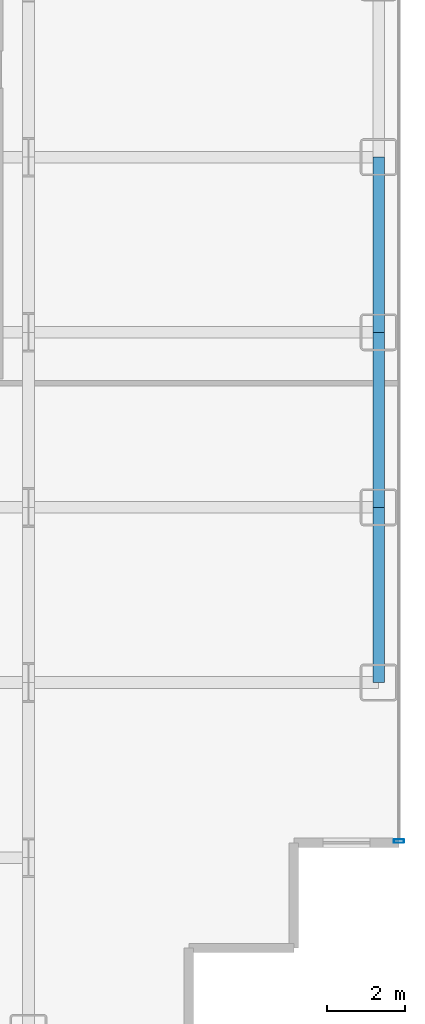
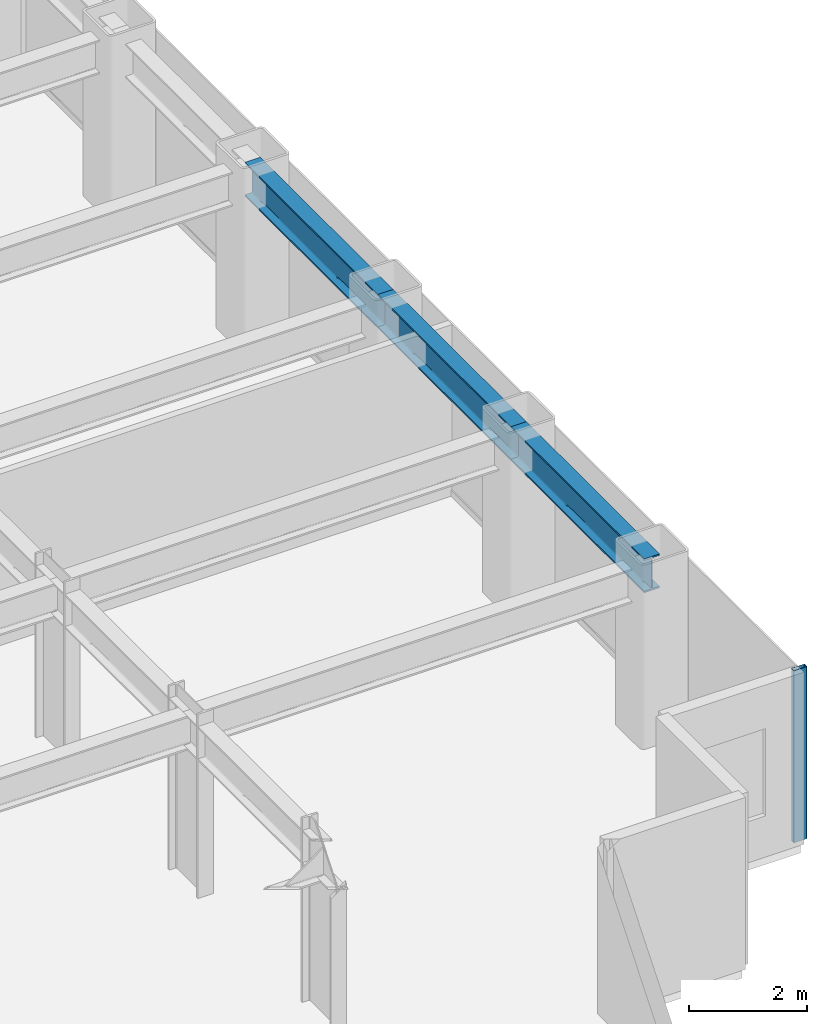
# One storey, part 16 of 25: 3 beams, 1 member, 1 element without a shape of its own.
"""IFC4 building model written with IfcOpenShell, lengths in metres."""

import ifcopenshell
import ifcopenshell.guid

model = None  # the IFC model being written
_history = None  # IfcOwnerHistory: only IFC2X3 demands one
_inside = {}  # id of a spatial element -> (the spatial element, [elements in it])
_under = {}  # id of a project, library or spatial element -> (it, [spatial elements below it])
_declared = {}  # id of a project -> (the project, [libraries it declares])
_typed = {}  # id of a type object -> (the type object, [elements of that type])
_made_of = {}  # id of a material, layer set ... -> (it, [elements and type objects made of it])


def new_model(schema):
    """Start an empty IFC model of exactly this schema.

    Asked for "IFC4X3", IfcOpenShell would pick the latest addendum, in which some entities
    have other attributes; the version numbers below select the first issue.
    IFC2X3 requires an IfcOwnerHistory on every rooted entity: one is made here for all.
    """
    global model, _history
    if schema == "IFC4X3":
        model = ifcopenshell.file(schema_version=(4, 3, 0, 0))
    else:
        model = ifcopenshell.file(schema=schema)
    _inside.clear()
    _under.clear()
    _declared.clear()
    _typed.clear()
    _made_of.clear()
    _history = None
    if model.schema == "IFC2X3":
        org = make("IfcOrganization", Name="unknown")
        user = make(
            "IfcPersonAndOrganization",
            ThePerson=make("IfcPerson", FamilyName="unknown"),
            TheOrganization=org,
        )
        app = make(
            "IfcApplication",
            ApplicationDeveloper=org,
            Version="unknown",
            ApplicationFullName="unknown",
            ApplicationIdentifier="unknown",
        )
        _history = make(
            "IfcOwnerHistory",
            OwningUser=user,
            OwningApplication=app,
            ChangeAction="ADDED",
            CreationDate=0,
        )
    return model


def make(cls, **values):
    """One entity of the class cls with the attributes given. An attribute that is None is left unset."""
    return model.create_entity(
        cls, **{name: value for name, value in values.items() if value is not None}
    )


def rooted(cls, **values):
    """An entity with a GlobalId (a new one), such as an element, a storey or a relation."""
    return make(cls, GlobalId=ifcopenshell.guid.new(), OwnerHistory=_history, **values)


def si_unit(unit_type, name, prefix=None):
    """IfcSIUnit, for example si_unit("LENGTHUNIT", "METRE", prefix="MILLI")."""
    return make("IfcSIUnit", UnitType=unit_type, Prefix=prefix, Name=name)


def assignment(units):
    """IfcUnitAssignment: the units of a project."""
    return None if units is None else make("IfcUnitAssignment", Units=units)


def point(xyz):
    """IfcCartesianPoint."""
    return None if xyz is None else make("IfcCartesianPoint", Coordinates=xyz)


def direction(xyz):
    """IfcDirection."""
    return None if xyz is None else make("IfcDirection", DirectionRatios=xyz)


def frame(location, z_axis=None, x_axis=None):
    """IfcAxis2Placement3D, a coordinate frame: its origin and axes. An axis left out is left unset."""
    return make(
        "IfcAxis2Placement3D",
        Location=point(location),
        Axis=direction(z_axis),
        RefDirection=direction(x_axis),
    )


def frame_2d(location, x_axis=None):
    """IfcAxis2Placement2D, a coordinate frame in the plane: its origin and x axis."""
    return make(
        "IfcAxis2Placement2D", Location=point(location), RefDirection=direction(x_axis)
    )


def origin():
    """The frame at (0, 0, 0) with its axes left unset."""
    return frame((0.0, 0.0, 0.0))


def origin_2d():
    """The frame at (0, 0) in the plane with its x axis left unset."""
    return frame_2d((0.0, 0.0))


def place(relative_to, where):
    """IfcLocalPlacement: puts the frame where relative to a parent placement (None: the world)."""
    return make(
        "IfcLocalPlacement", PlacementRelTo=relative_to, RelativePlacement=where
    )


def context(
    kind, dimensions, precision=None, world=None, true_north=None, identifier=None
):
    """IfcGeometricRepresentationContext, for example the 3D "Model" context."""
    return make(
        "IfcGeometricRepresentationContext",
        ContextIdentifier=identifier,
        ContextType=kind,
        CoordinateSpaceDimension=dimensions,
        Precision=precision,
        WorldCoordinateSystem=world,
        TrueNorth=true_north,
    )


def subcontext(parent, identifier, kind, view, scale=None):
    """IfcGeometricRepresentationSubContext, for example "Body" below "Model"."""
    return make(
        "IfcGeometricRepresentationSubContext",
        ContextIdentifier=identifier,
        ContextType=kind,
        ParentContext=parent,
        TargetScale=scale,
        TargetView=view,
    )


def project(units=None, contexts=None):
    """IfcProject with its units and contexts."""
    return rooted(
        "IfcProject",
        Name="project",
        RepresentationContexts=contexts,
        UnitsInContext=assignment(units),
    )


def spatial(cls, under=None, at=None, **own):
    """A site, building, storey or space (cls), placed at a placement, below another one or the project."""
    s = rooted(cls, ObjectPlacement=at, **own)
    if under is not None:
        _under.setdefault(under.id(), (under, []))[1].append(s)
    return s


def profile(cls, at=None, kind="AREA", **sizes):
    """A parametric profile (cls). Its sizes go by their IFC names, for example OverallWidth=200.0."""
    return make(cls, ProfileType=kind, Position=at, **sizes)


def hollow_rectangle(**sizes):
    """IfcRectangleHollowProfileDef."""
    return profile("IfcRectangleHollowProfileDef", **sizes)


def i_section(**sizes):
    """IfcIShapeProfileDef."""
    return profile("IfcIShapeProfileDef", **sizes)


def extrude(swept, where, along, depth):
    """IfcExtrudedAreaSolid: the profile swept, set in the frame where, extruded along a direction by depth."""
    return make(
        "IfcExtrudedAreaSolid",
        SweptArea=swept,
        Position=where,
        ExtrudedDirection=direction(along),
        Depth=depth,
    )


def shape(context_of_items, identifier, shape_type, items):
    """IfcShapeRepresentation: the items that make up one representation, for example the "Body"."""
    return make(
        "IfcShapeRepresentation",
        ContextOfItems=context_of_items,
        RepresentationIdentifier=identifier,
        RepresentationType=shape_type,
        Items=items,
    )


def source(mapping_origin, context_of_items, identifier, shape_type, items):
    """IfcRepresentationMap: a shape defined once, which mapped items show again and again."""
    return make(
        "IfcRepresentationMap",
        MappingOrigin=mapping_origin,
        MappedRepresentation=shape(context_of_items, identifier, shape_type, items),
    )


def transform(
    local_origin,
    x_axis=None,
    y_axis=None,
    z_axis=None,
    scale=None,
    scale2=None,
    scale3=None,
    uniform=True,
):
    """IfcCartesianTransformationOperator3D, or its non-uniform kind. x_axis, y_axis, z_axis: its Axis1, 2, 3."""
    if uniform:
        return make(
            "IfcCartesianTransformationOperator3D",
            Axis1=direction(x_axis),
            Axis2=direction(y_axis),
            LocalOrigin=point(local_origin),
            Scale=scale,
            Axis3=direction(z_axis),
        )
    return make(
        "IfcCartesianTransformationOperator3DnonUniform",
        Axis1=direction(x_axis),
        Axis2=direction(y_axis),
        LocalOrigin=point(local_origin),
        Scale=scale,
        Axis3=direction(z_axis),
        Scale2=scale2,
        Scale3=scale3,
    )


def mapped(mapping_source, mapping_target):
    """IfcMappedItem: shows the shape of a source again, moved by a transform."""
    return make(
        "IfcMappedItem", MappingSource=mapping_source, MappingTarget=mapping_target
    )


def material(Name=None, Category=None):
    """IfcMaterial."""
    return make("IfcMaterial", Name=Name, Category=Category)


def layer(
    of_material, thickness, ventilated=None, Name=None, Category=None, Priority=None
):
    """IfcMaterialLayer: one layer of a wall or slab, of a material (None: an air gap)."""
    return make(
        "IfcMaterialLayer",
        Material=of_material,
        LayerThickness=thickness,
        IsVentilated=ventilated,
        Name=Name,
        Category=Category,
        Priority=Priority,
    )


def layer_set(layers, Name=None):
    """IfcMaterialLayerSet."""
    return make("IfcMaterialLayerSet", MaterialLayers=layers, LayerSetName=Name)


def material_profile(
    of_material, cross_section, Name=None, Category=None, Priority=None
):
    """IfcMaterialProfile: a cross section and its material."""
    return make(
        "IfcMaterialProfile",
        Name=Name,
        Material=of_material,
        Profile=cross_section,
        Priority=Priority,
        Category=Category,
    )


def profile_set(profiles, Name=None, composite=None):
    """IfcMaterialProfileSet."""
    return make(
        "IfcMaterialProfileSet",
        Name=Name,
        MaterialProfiles=profiles,
        CompositeProfile=composite,
    )


def made_of(thing, what):
    """Note that an element or type object is made of a material, layer set ...; save() writes the relation."""
    if what is not None:
        _made_of.setdefault(what.id(), (what, []))[1].append(thing)
    return thing


def type_object(cls, material=None, **own):
    """A type object (cls), such as IfcWallType, which elements share."""
    return made_of(rooted(cls, **own), material)


def element(
    cls,
    number,
    at=None,
    inside=None,
    cuts=None,
    type_object=None,
    material=None,
    context=None,
    identifier="Body",
    shape_type=None,
    held_by="IfcProductDefinitionShape",
    body=None,
    shapes=None,
    **own,
):
    """One element of the class cls, such as IfcWall. Its Tag is "e" and its number.

    at: its placement. inside: the storey or other place that contains it. cuts: it is an
    opening in that element (IfcRelVoidsElement). A single representation is given by context,
    identifier, shape_type and body (its items); several are given by shapes. held_by: the class
    of the entity that holds the representations. save() writes the other relations.
    """
    e = rooted(cls, Tag="e%d" % number, ObjectPlacement=at, **own)
    if body is not None:
        shapes = [shape(context, identifier, shape_type, body)]
    if shapes is not None:
        e.Representation = make(held_by, Representations=shapes)
    if inside is not None:
        _inside.setdefault(inside.id(), (inside, []))[1].append(e)
    if cuts is not None:
        rooted(
            "IfcRelVoidsElement", RelatingBuildingElement=cuts, RelatedOpeningElement=e
        )
    if type_object is not None:
        _typed.setdefault(type_object.id(), (type_object, []))[1].append(e)
    return made_of(e, material)


def aggregate(whole, parts):
    """IfcRelAggregates: a whole, such as a stair, and the parts it consists of."""
    return rooted("IfcRelAggregates", RelatingObject=whole, RelatedObjects=parts)


def save(model, path):
    """Write the relations noted so far, then the file.

    IfcRelAggregates (storeys below a building ...), IfcRelContainedInSpatialStructure (elements
    in a storey), IfcRelDefinesByType, IfcRelAssociatesMaterial and IfcRelDeclares: one each for
    every whole, place, type object, material and project.
    """
    for whole, parts in _under.values():
        aggregate(whole, parts)
    for where, things in _inside.values():
        rooted(
            "IfcRelContainedInSpatialStructure",
            RelatedElements=things,
            RelatingStructure=where,
        )
    for kind, things in _typed.values():
        rooted("IfcRelDefinesByType", RelatedObjects=things, RelatingType=kind)
    for what, things in _made_of.values():
        rooted("IfcRelAssociatesMaterial", RelatedObjects=things, RelatingMaterial=what)
    for by, libraries in _declared.values():
        rooted("IfcRelDeclares", RelatingContext=by, RelatedDefinitions=libraries)
    model.write(path)


model = new_model("IFC4")

# Units and contexts
model_context = context("Model", 3, precision=1e-05, world=origin(), true_north=direction((0.0, 1.0)))
body_context = subcontext(model_context, "Body", "Model", "MODEL_VIEW")
ifc_project = project(units=[si_unit("LENGTHUNIT", "METRE"), si_unit("AREAUNIT", "SQUARE_METRE"), si_unit("VOLUMEUNIT", "CUBIC_METRE"), si_unit("PLANEANGLEUNIT", "RADIAN"), si_unit("MASSUNIT", "GRAM", prefix="KILO")], contexts=[model_context])

# Site, building, storey
site_placement = place(None, origin())
site = spatial("IfcSite", under=ifc_project, at=site_placement, CompositionType="ELEMENT")
building_placement = place(site_placement, origin())
building = spatial("IfcBuilding", under=site, at=building_placement, Name="Nefas-Gora Pilgrimage Tower", CompositionType="ELEMENT")
storey_placement = place(building_placement, frame((0.0, 0.0, 74.800048828125)))
storey = spatial("IfcBuildingStorey", under=building, at=storey_placement, Name="L17", CompositionType="ELEMENT", Elevation=74.800048828125)

# Beams
ifc_material_1 = material(Name="Steel S355", Category="steel")
ifc_material_profile_1 = material_profile(ifc_material_1, i_section(OverallWidth=0.300048828125, OverallDepth=0.699951171875, WebThickness=0.01708984375, FlangeThickness=0.031982421875, FilletRadius=0.027099609375, at=origin_2d()), Name="HEB 700")
ifc_profile_set_1 = profile_set([ifc_material_profile_1], Name="Steel S355")
beam_type = type_object("IfcBeamType", Name="BM-SPN-HEB600", PredefinedType="SPANDREL", material=ifc_profile_set_1)
shared_shape_1 = source(origin(), body_context, "Body", "SweptSolid", [
    extrude(i_section(OverallWidth=0.300048828125, OverallDepth=0.699951171875, WebThickness=0.01708984375, FlangeThickness=0.031982421875, FilletRadius=0.027099609375, at=origin_2d()), origin(), (0.0, 0.0, 1.0), 4.5),
])
for number, where, z_axis, x_axis, name in (
    (1, (33.75, -13.5, 3.199951171875), (0.0, 1.0, 0.0), (-1.0, 0.0, 0.0), "L17 SP-01 beam"),
    (2, (33.75, -9.0, 3.199951171875), (0.0, 1.0, 0.0), (-1.0, 0.0, 0.0), "L17 SP-01 beam"),
    (3, (33.75, -4.5, 3.199951171875), (0.0, 1.0, 0.0), (-1.0, 0.0, 0.0), "L17 SP-01 beam"),
):
    element("IfcBeam", number, at=place(storey_placement, frame(where, z_axis=z_axis, x_axis=x_axis)), inside=storey, type_object=beam_type, Name=name, PredefinedType="SPANDREL", context=body_context, shape_type="MappedRepresentation", body=[
        mapped(shared_shape_1, transform((0.0, 0.0, 0.0), x_axis=(1.0, 0.0, 0.0), y_axis=(0.0, 1.0, 0.0), z_axis=(0.0, 0.0, 1.0), scale=1.0)),
    ])

# Curtain wall, member
ifc_material_2 = material(Name="Dark ceramic-fritted solar-control aluminium-glass curtain wall", Category="aluminium")
ifc_layer = layer(ifc_material_2, 0.219970703125)
ifc_layer_set = layer_set([ifc_layer], Name="Dark ceramic-fritted solar-control aluminium-glass curtain wall")
curtain_wall_type = type_object("IfcCurtainWallType", Name="CW-SYS-2", PredefinedType="NOTDEFINED", material=ifc_layer_set)
curtain_wall_placement = place(storey_placement, origin())
curtain_wall = element("IfcCurtainWall", 4, at=curtain_wall_placement, inside=storey, type_object=curtain_wall_type, Name="L17 Unitised Curtain Wall CW2", PredefinedType="NOTDEFINED")
ifc_material_3 = material(Name="Anodised architectural aluminium", Category="aluminium")
ifc_material_profile_2 = material_profile(ifc_material_3, hollow_rectangle(XDim=0.090087890625, YDim=0.260009765625, WallThickness=0.006103515625, InnerFilletRadius=0.006103515625, OuterFilletRadius=0.011962890625, at=origin_2d()), Name="ALU MULLION 90x260")
ifc_profile_set_2 = profile_set([ifc_material_profile_2], Name="Anodised architectural aluminium")
member_type = type_object("IfcMemberType", Name="CWM-MUL-2", PredefinedType="MULLION", material=ifc_profile_set_2)
shared_shape_2 = source(origin(), body_context, "Body", "SweptSolid", [
    extrude(hollow_rectangle(XDim=0.090087890625, YDim=0.260009765625, WallThickness=0.006103515625, InnerFilletRadius=0.006103515625, OuterFilletRadius=0.011962890625, at=origin_2d()), origin(), (0.0, 0.0, 1.0), 3.550048828125),
])
member_placement = place(storey_placement, frame((34.27001953125, -17.574951171875, 0.0), z_axis=(0.0, 0.0, 1.0), x_axis=(0.0, 1.0, 0.0)))
member = element("IfcMember", 5, at=member_placement, type_object=member_type, Name="CW2 Mullion 1", PredefinedType="MULLION", context=body_context, shape_type="MappedRepresentation", body=[
    mapped(shared_shape_2, transform((0.0, 0.0, 0.0), x_axis=(1.0, 0.0, 0.0), y_axis=(0.0, 1.0, 0.0), z_axis=(0.0, 0.0, 1.0), scale=1.0)),
])
aggregate(curtain_wall, [member])

save(model, "model.ifc")
